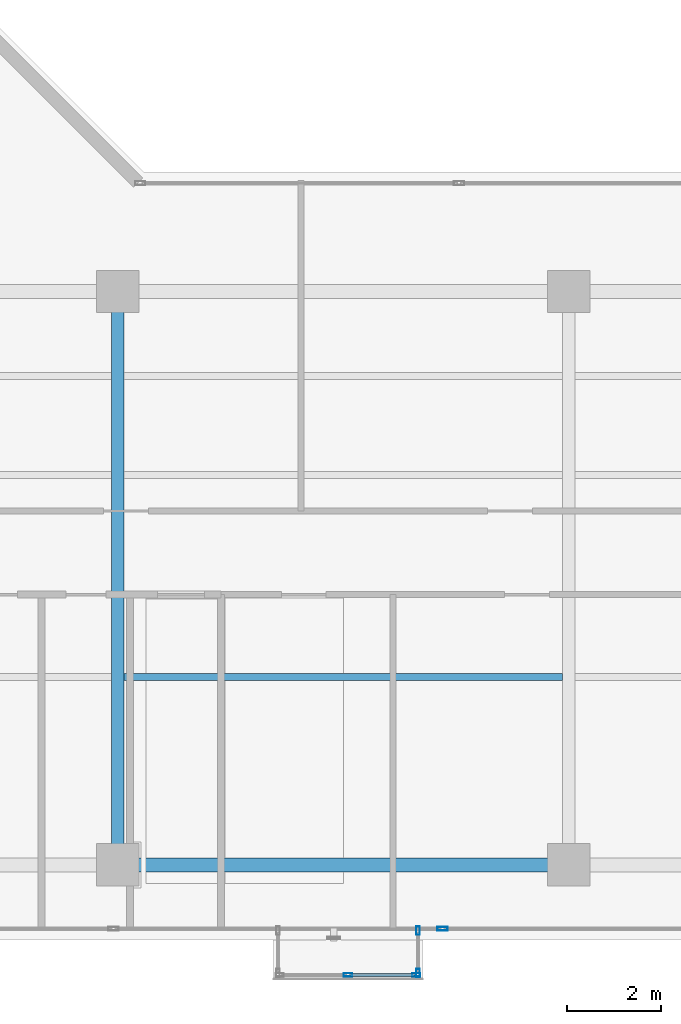
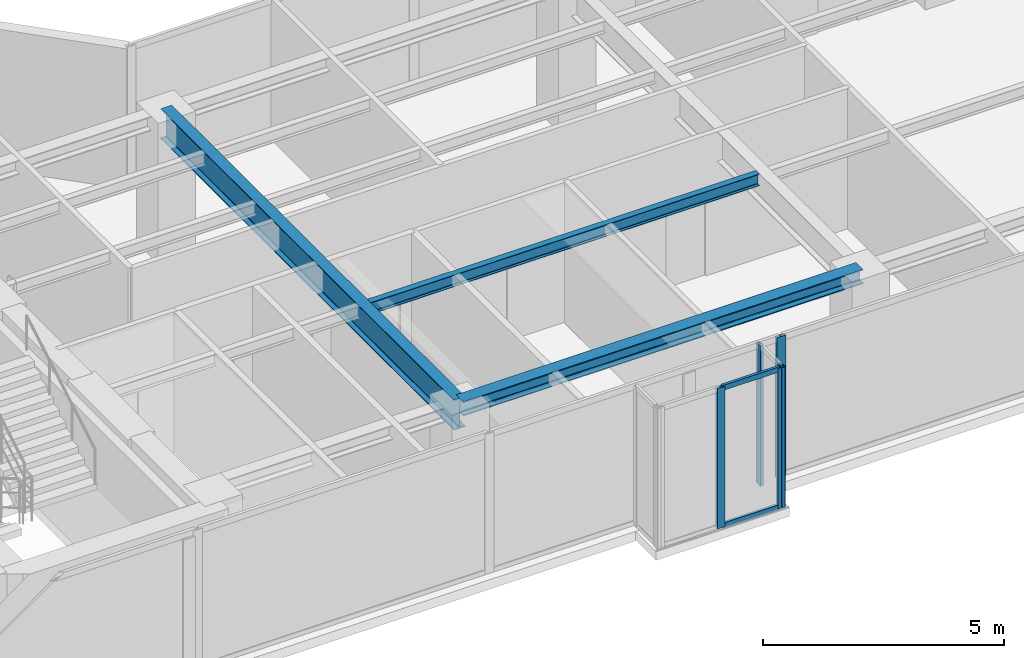
# One storey, part 5 of 22: 7 members, 3 beams, 3 elements without a shape of their own.
"""IFC4 building model written with IfcOpenShell, lengths in metres."""

from ifc_helpers import new_model, si_unit, direction, frame, origin, origin_with_axes, origin_2d, place, context, subcontext, project, spatial, hollow_rectangle, i_section, extrude, source, transform, mapped, material, layer, layer_set, material_profile, profile_set, type_object, element, aggregate, save


model = new_model("IFC4")

# Units and contexts
model_context = context("Model", 3, precision=1e-05, world=origin(), true_north=direction((0.0, 1.0)))
body_context = subcontext(model_context, "Body", "Model", "MODEL_VIEW")
ifc_project = project(units=[si_unit("LENGTHUNIT", "METRE"), si_unit("AREAUNIT", "SQUARE_METRE"), si_unit("VOLUMEUNIT", "CUBIC_METRE"), si_unit("PLANEANGLEUNIT", "RADIAN"), si_unit("MASSUNIT", "GRAM", prefix="KILO")], contexts=[model_context])

# Site, building, storey
site_placement = place(None, origin())
site = spatial("IfcSite", under=ifc_project, at=site_placement, CompositionType="ELEMENT")
building_placement = place(site_placement, origin())
building = spatial("IfcBuilding", under=site, at=building_placement, Name="Kolvaren Waterfront Exchange", CompositionType="ELEMENT")
storey_placement = place(building_placement, frame((0.0, 0.0, 281.800048828125)))
storey = spatial("IfcBuildingStorey", under=building, at=storey_placement, Name="L72", CompositionType="ELEMENT", Elevation=281.800048828125)

# Beams
ifc_material_1 = material(Name="Steel S355", Category="steel")
ifc_material_profile_1 = material_profile(ifc_material_1, i_section(OverallWidth=0.300048828125, OverallDepth=0.360107421875, WebThickness=0.012451171875, FlangeThickness=0.0224609375, FilletRadius=0.027099609375, at=origin_2d()), Name="HEB360")
ifc_profile_set_1 = profile_set([ifc_material_profile_1], Name="Steel S355")
beam_type_1 = type_object("IfcBeamType", Name="STR-BM-HEB360", PredefinedType="SPANDREL", material=ifc_profile_set_1)
beam_1_placement = place(storey_placement, frame((27.199951171875, 5.199951171875, 3.3798828125), z_axis=(1.0, 0.0, 0.0), x_axis=(0.0, 1.0, 0.0)))
element("IfcBeam", 1, at=beam_1_placement, inside=storey, type_object=beam_type_1, Name="L72 east-arm spandrel S2", PredefinedType="SPANDREL", context=body_context, shape_type="SweptSolid", body=[
    extrude(i_section(OverallWidth=0.300048828125, OverallDepth=0.360107421875, WebThickness=0.012451171875, FlangeThickness=0.0224609375, FilletRadius=0.027099609375, at=origin_2d()), origin(), (0.0, 0.0, 1.0), 9.60009765625),
])
ifc_material_profile_2 = material_profile(ifc_material_1, i_section(OverallWidth=0.14990234375, OverallDepth=0.300048828125, WebThickness=0.007080078125, FlangeThickness=0.0107421875, FilletRadius=0.014892578125, at=origin_2d()), Name="IPE300")
ifc_profile_set_2 = profile_set([ifc_material_profile_2], Name="Steel S355")
beam_type_2 = type_object("IfcBeamType", Name="STR-BM-IPE300", PredefinedType="JOIST", material=ifc_profile_set_2)
beam_2_placement = place(storey_placement, frame((27.33544921875, 9.199951171875, 3.409912109375), z_axis=(1.0, 0.0, 0.0), x_axis=(0.0, 1.0, 0.0)))
element("IfcBeam", 2, at=beam_2_placement, inside=storey, type_object=beam_type_2, Name="L72 east-arm composite joist 2B", PredefinedType="JOIST", context=body_context, shape_type="SweptSolid", body=[
    extrude(i_section(OverallWidth=0.14990234375, OverallDepth=0.300048828125, WebThickness=0.007080078125, FlangeThickness=0.0107421875, FilletRadius=0.014892578125, at=origin_2d()), origin(), (0.0, 0.0, 1.0), 9.3291015625),
])
ifc_material_profile_3 = material_profile(ifc_material_1, i_section(OverallWidth=0.26708984375, OverallDepth=0.761962890625, WebThickness=0.014404296875, FlangeThickness=0.021484375, FilletRadius=0.01708984375, at=origin_2d()), Name="IPE750x173")
ifc_profile_set_3 = profile_set([ifc_material_profile_3], Name="Steel S355")
beam_type_3 = type_object("IfcBeamType", Name="STR-BM-IPE750", PredefinedType="BEAM", material=ifc_profile_set_3)
beam_3_placement = place(storey_placement, frame((27.199951171875, 5.199951171875, 3.178955078125), z_axis=(0.0, 1.0, 0.0), x_axis=(-1.0, 0.0, 0.0)))
element("IfcBeam", 3, at=beam_3_placement, inside=storey, type_object=beam_type_3, Name="L72 east-arm transverse girder X27", PredefinedType="BEAM", context=body_context, shape_type="SweptSolid", body=[
    extrude(i_section(OverallWidth=0.26708984375, OverallDepth=0.761962890625, WebThickness=0.014404296875, FlangeThickness=0.021484375, FilletRadius=0.01708984375, at=origin_2d()), origin(), (0.0, 0.0, 1.0), 12.199951171875),
])

# Curtain wall, members
ifc_material_2 = material(Name="Anodised bronze aluminium 6063-T6", Category="aluminium")
ifc_layer_1 = layer(ifc_material_2, 0.219970703125, Name="Anodised bronze aluminium 6063-T6")
ifc_layer_set_1 = layer_set([ifc_layer_1], Name="Anodised bronze aluminium 6063-T6")
curtain_wall_type_1 = type_object("IfcCurtainWallType", Name="ARC-CW-SYS3", PredefinedType="USERDEFINED", material=ifc_layer_set_1)
curtain_wall_1_placement = place(storey_placement, origin())
curtain_wall_1 = element("IfcCurtainWall", 4, at=curtain_wall_1_placement, inside=storey, type_object=curtain_wall_type_1, Name="L72 stick curtain wall CW3 (CW-L72-BOX)", ObjectType="STICK CURTAIN WALL", PredefinedType="USERDEFINED")
ifc_material_profile_4 = material_profile(ifc_material_2, hollow_rectangle(XDim=0.06494140625, YDim=0.1298828125, WallThickness=0.00390625, at=origin_2d()), Name="ALU-TRN-130x65x4")
ifc_profile_set_4 = profile_set([ifc_material_profile_4], Name="Anodised bronze aluminium 6063-T6")
member_type_1 = type_object("IfcMemberType", Name="ARC-CWT-130", PredefinedType="USERDEFINED", material=ifc_profile_set_4)
shared_shape_1 = source(origin_with_axes(), body_context, "Body", "SweptSolid", [
    extrude(hollow_rectangle(XDim=0.06494140625, YDim=0.1298828125, WallThickness=0.00390625, at=origin_2d()), origin(), (0.0, 0.0, 1.0), 1.37744140625),
])
member_1_placement = place(storey_placement, frame((32.137451171875, 2.860107421875, 0.032470703125), z_axis=(1.0, 0.0, 0.0), x_axis=(0.0, 1.0, 0.0)))
member_1 = element("IfcMember", 5, at=member_1_placement, type_object=member_type_1, Name="CW3 transom 2.1", ObjectType="TRANSOM", PredefinedType="USERDEFINED", context=body_context, shape_type="MappedRepresentation", body=[
    mapped(shared_shape_1, transform((0.0, 0.0, 0.0), x_axis=(1.0, 0.0, 0.0), y_axis=(0.0, 1.0, 0.0), z_axis=(0.0, 0.0, 1.0), scale=1.0)),
])
member_2_placement = place(storey_placement, frame((32.137451171875, 2.860107421875, 3.52734375), z_axis=(1.0, 0.0, 0.0), x_axis=(0.0, 1.0, 0.0)))
member_2 = element("IfcMember", 6, at=member_2_placement, type_object=member_type_1, Name="CW3 transom 2.2", ObjectType="TRANSOM", PredefinedType="USERDEFINED", context=body_context, shape_type="MappedRepresentation", body=[
    mapped(shared_shape_1, transform((0.0, 0.0, 0.0), x_axis=(1.0, 0.0, 0.0), y_axis=(0.0, 1.0, 0.0), z_axis=(0.0, 0.0, 1.0), scale=1.0)),
])
ifc_material_profile_5 = material_profile(ifc_material_2, hollow_rectangle(XDim=0.074951171875, YDim=0.179931640625, WallThickness=0.00439453125, at=origin_2d()), Name="ALU-MUL-180x75x4.5")
ifc_profile_set_5 = profile_set([ifc_material_profile_5], Name="Anodised bronze aluminium 6063-T6")
member_type_2 = type_object("IfcMemberType", Name="ARC-CWM-180", PredefinedType="MULLION", material=ifc_profile_set_5)
shared_shape_2 = source(origin_with_axes(), body_context, "Body", "SweptSolid", [
    extrude(hollow_rectangle(XDim=0.074951171875, YDim=0.179931640625, WallThickness=0.00439453125, at=origin_2d()), origin(), (0.0, 0.0, 1.0), 3.56005859375),
])
member_3_placement = place(storey_placement, frame((32.10009765625, 2.860107421875, 0.0), z_axis=(0.0, 0.0, 1.0), x_axis=(0.0, 1.0, 0.0)))
member_3 = element("IfcMember", 7, at=member_3_placement, type_object=member_type_2, Name="CW3 mullion 2", PredefinedType="MULLION", context=body_context, shape_type="MappedRepresentation", body=[
    mapped(shared_shape_2, transform((0.0, 0.0, 0.0), x_axis=(1.0, 0.0, 0.0), y_axis=(0.0, 1.0, 0.0), z_axis=(0.0, 0.0, 1.0), scale=1.0)),
])
member_4_placement = place(storey_placement, frame((33.552490234375, 2.860107421875, 0.0), z_axis=(0.0, 0.0, 1.0), x_axis=(0.0, 1.0, 0.0)))
member_4 = element("IfcMember", 8, at=member_4_placement, type_object=member_type_2, Name="CW3 mullion 3", PredefinedType="MULLION", context=body_context, shape_type="MappedRepresentation", body=[
    mapped(shared_shape_2, transform((0.0, 0.0, 0.0), x_axis=(1.0, 0.0, 0.0), y_axis=(0.0, 1.0, 0.0), z_axis=(0.0, 0.0, 1.0), scale=1.0)),
])
aggregate(curtain_wall_1, [member_3, member_4, member_1, member_2])

curtain_wall_2_placement = place(storey_placement, origin())
curtain_wall_2 = element("IfcCurtainWall", 9, at=curtain_wall_2_placement, inside=storey, type_object=curtain_wall_type_1, Name="L72 stick curtain wall CW3 (CW-L72-BOX-E)", ObjectType="STICK CURTAIN WALL", PredefinedType="USERDEFINED")
member_5_placement = place(storey_placement, frame((33.590087890625, 2.8974609375, 0.0), z_axis=(0.0, 0.0, 1.0), x_axis=(-1.0, 0.0, 0.0)))
member_5 = element("IfcMember", 10, at=member_5_placement, type_object=member_type_2, Name="CW3 mullion 1", PredefinedType="MULLION", context=body_context, shape_type="MappedRepresentation", body=[
    mapped(shared_shape_2, transform((0.0, 0.0, 0.0), x_axis=(1.0, 0.0, 0.0), y_axis=(0.0, 1.0, 0.0), z_axis=(0.0, 0.0, 1.0), scale=1.0)),
])
member_6_placement = place(storey_placement, frame((33.590087890625, 3.802490234375, 0.0), z_axis=(0.0, 0.0, 1.0), x_axis=(-1.0, 0.0, 0.0)))
member_6 = element("IfcMember", 11, at=member_6_placement, type_object=member_type_2, Name="CW3 mullion 2", PredefinedType="MULLION", context=body_context, shape_type="MappedRepresentation", body=[
    mapped(shared_shape_2, transform((0.0, 0.0, 0.0), x_axis=(1.0, 0.0, 0.0), y_axis=(0.0, 1.0, 0.0), z_axis=(0.0, 0.0, 1.0), scale=1.0)),
])
aggregate(curtain_wall_2, [member_5, member_6])

# Curtain wall, member
ifc_layer_2 = layer(ifc_material_2, 0.219970703125, Name="Anodised bronze aluminium 6063-T6")
ifc_layer_set_2 = layer_set([ifc_layer_2], Name="Anodised bronze aluminium 6063-T6")
curtain_wall_type_2 = type_object("IfcCurtainWallType", Name="ARC-CW-SYS1", PredefinedType="USERDEFINED", material=ifc_layer_set_2)
curtain_wall_3_placement = place(storey_placement, origin())
curtain_wall_3 = element("IfcCurtainWall", 12, at=curtain_wall_3_placement, inside=storey, type_object=curtain_wall_type_2, Name="L72 stick curtain wall CW1 (CW-L72-S)", ObjectType="STICK CURTAIN WALL", PredefinedType="USERDEFINED")
ifc_material_3 = material(Name="Anodised aluminium 6063-T6", Category="aluminium")
ifc_material_profile_6 = material_profile(ifc_material_3, hollow_rectangle(XDim=0.080078125, YDim=0.219970703125, WallThickness=0.0048828125, at=origin_2d()), Name="ALU-MUL-220x80x5")
ifc_profile_set_6 = profile_set([ifc_material_profile_6], Name="Anodised aluminium 6063-T6")
member_type_3 = type_object("IfcMemberType", Name="ARC-CWM-220", PredefinedType="MULLION", material=ifc_profile_set_6)
shared_shape_3 = source(origin_with_axes(), body_context, "Body", "SweptSolid", [
    extrude(hollow_rectangle(XDim=0.080078125, YDim=0.219970703125, WallThickness=0.0048828125, at=origin_2d()), origin(), (0.0, 0.0, 1.0), 3.56005859375),
])
member_7_placement = place(storey_placement, frame((34.110595703125, 3.840087890625, 0.0), z_axis=(0.0, 0.0, 1.0), x_axis=(0.0, 1.0, 0.0)))
member_7 = element("IfcMember", 13, at=member_7_placement, type_object=member_type_3, Name="CW1 mullion 5", PredefinedType="MULLION", context=body_context, shape_type="MappedRepresentation", body=[
    mapped(shared_shape_3, transform((0.0, 0.0, 0.0), x_axis=(1.0, 0.0, 0.0), y_axis=(0.0, 1.0, 0.0), z_axis=(0.0, 0.0, 1.0), scale=1.0)),
])
aggregate(curtain_wall_3, [member_7])

save(model, "model.ifc")
